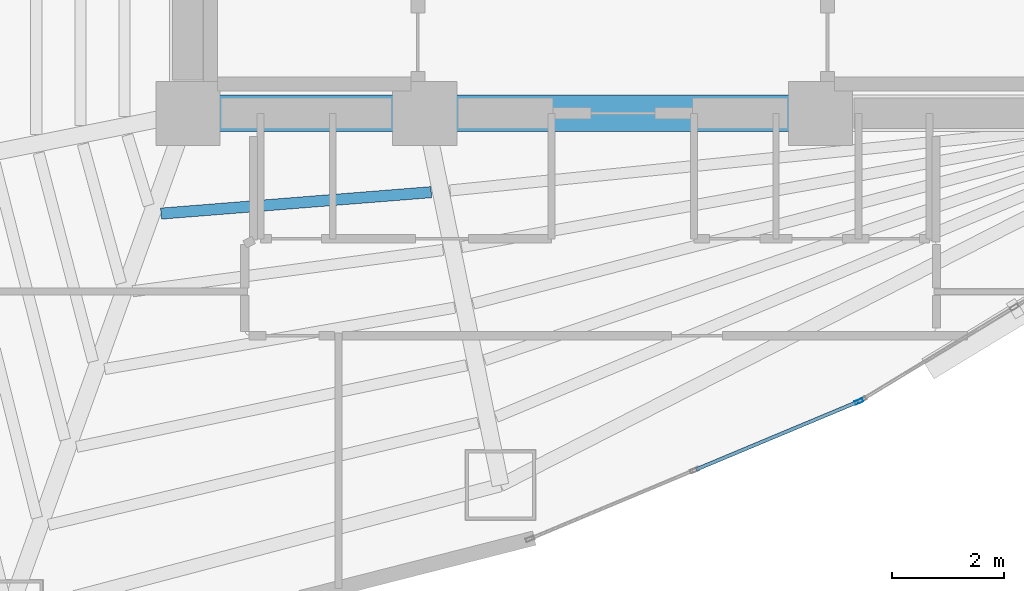
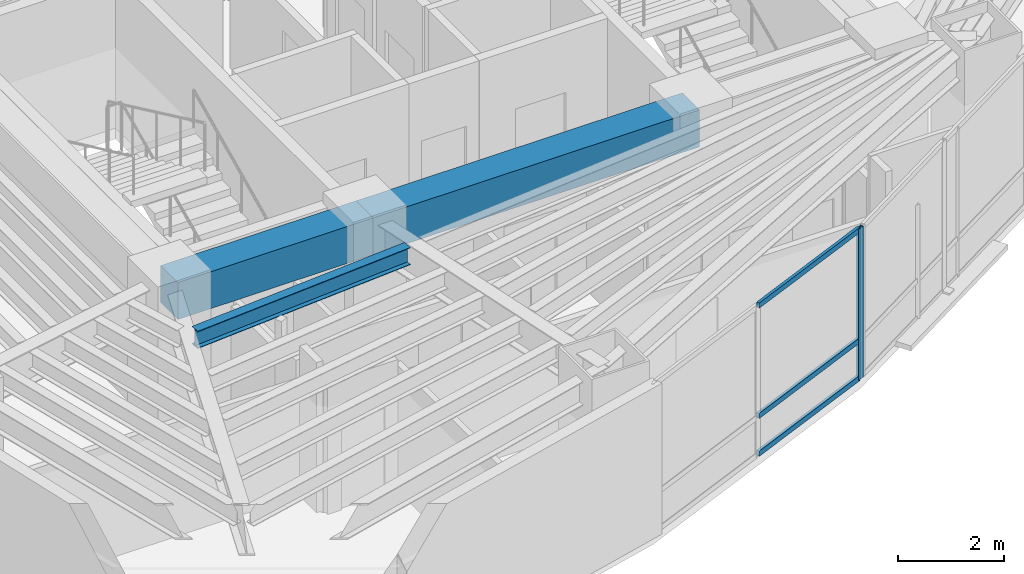
# One storey, part 4 of 18: 4 members, 3 beams, 1 element without a shape of its own.
"""IFC4 building model written with IfcOpenShell, lengths in metres."""

from ifc_helpers import new_model, si_unit, direction, frame, origin, origin_2d, place, context, subcontext, project, spatial, rectangle, hollow_rectangle, i_section, extrude, material, layer, layer_set, material_profile, profile_set, type_object, element, aggregate, save


model = new_model("IFC4")

# Units and contexts
model_context = context("Model", 3, precision=1e-05, world=origin(), true_north=direction((0.0, 1.0)))
body_context = subcontext(model_context, "Body", "Model", "MODEL_VIEW")
ifc_project = project(units=[si_unit("LENGTHUNIT", "METRE"), si_unit("AREAUNIT", "SQUARE_METRE"), si_unit("VOLUMEUNIT", "CUBIC_METRE"), si_unit("PLANEANGLEUNIT", "RADIAN"), si_unit("MASSUNIT", "GRAM", prefix="KILO")], contexts=[model_context])

# Site, building, storey
site_placement = place(None, origin())
site = spatial("IfcSite", under=ifc_project, at=site_placement, CompositionType="ELEMENT")
building_placement = place(site_placement, origin())
building = spatial("IfcBuilding", under=site, at=building_placement, Name="Menara Vayukalpa", CompositionType="ELEMENT")
storey_placement = place(building_placement, frame((0.0, 0.0, 126.300048828125)))
storey = spatial("IfcBuildingStorey", under=building, at=storey_placement, Name="L31", CompositionType="ELEMENT", Elevation=126.300048828125)

# Beams
ifc_material_1 = material(Name="Concrete C60/75", Category="concrete")
ifc_material_profile_1 = material_profile(ifc_material_1, rectangle(XDim=0.64990234375, YDim=0.85009765625, at=origin_2d()), Name="RC 650x850")
ifc_profile_set_1 = profile_set([ifc_material_profile_1], Name="Concrete C60/75")
beam_type_1 = type_object("IfcBeamType", Name="BM-CB1", PredefinedType="BEAM", material=ifc_profile_set_1)
beam_1_placement = place(storey_placement, frame((17.800048828125, 17.199951171875, 3.044921875), z_axis=(1.0, 0.0, 0.0), x_axis=(0.0, 1.0, 0.0)))
element("IfcBeam", 1, at=beam_1_placement, inside=storey, type_object=beam_type_1, Name="L31 Core Tie Beam CBR1", PredefinedType="BEAM", context=body_context, shape_type="SweptSolid", body=[
    extrude(rectangle(XDim=0.64990234375, YDim=0.85009765625, at=origin_2d()), origin(), (0.0, 0.0, 1.0), 4.25),
])
beam_2_placement = place(storey_placement, frame((22.050048828125, 17.199951171875, 3.044921875), z_axis=(1.0, 0.0, 0.0), x_axis=(0.0, 1.0, 0.0)))
element("IfcBeam", 2, at=beam_2_placement, inside=storey, type_object=beam_type_1, Name="L31 Core Tie Beam CBR2", PredefinedType="BEAM", context=body_context, shape_type="SweptSolid", body=[
    extrude(rectangle(XDim=0.64990234375, YDim=0.85009765625, at=origin_2d()), origin(), (0.0, 0.0, 1.0), 7.099853515625),
])
ifc_material_2 = material(Name="Steel S355", Category="steel")
ifc_material_profile_2 = material_profile(ifc_material_2, i_section(OverallWidth=0.199951171875, OverallDepth=0.39990234375, WebThickness=0.008056640625, FlangeThickness=0.012939453125, at=origin_2d()), Name="WF 400x200x8x13")
ifc_profile_set_2 = profile_set([ifc_material_profile_2], Name="Steel S355")
beam_type_2 = type_object("IfcBeamType", Name="BM-SJ2", PredefinedType="JOIST", material=ifc_profile_set_2)
beam_3_placement = place(storey_placement, frame((17.318603515625, 15.40087890625, 3.27001953125), z_axis=(0.996868534468, 0.079076703187, 0.0), x_axis=(-0.079076703187, 0.996868534468, 0.0)))
element("IfcBeam", 3, at=beam_3_placement, inside=storey, type_object=beam_type_2, Name="L31 Secondary Floor Joist SJ07-1", PredefinedType="JOIST", context=body_context, shape_type="SweptSolid", body=[
    extrude(i_section(OverallWidth=0.199951171875, OverallDepth=0.39990234375, WebThickness=0.008056640625, FlangeThickness=0.012939453125, at=origin_2d()), origin(), (0.0, 0.0, 1.0), 4.862548828125),
])

# Curtain wall, members
ifc_material_3 = material(Name="Anodised Terracotta Aluminium Alloy 6063-T6", Category="masonry")
ifc_layer = layer(ifc_material_3, 0.14990234375)
ifc_layer_set = layer_set([ifc_layer], Name="Anodised Terracotta Aluminium Alloy 6063-T6")
curtain_wall_type = type_object("IfcCurtainWallType", Name="CW-CW3", PredefinedType="USERDEFINED", material=ifc_layer_set)
curtain_wall_placement = place(storey_placement, origin())
curtain_wall = element("IfcCurtainWall", 4, at=curtain_wall_placement, inside=storey, type_object=curtain_wall_type, Name="L31 Mid Rise Terracotta Ribbon Curtain Wall CW3 16", ObjectType="UNITISED", PredefinedType="USERDEFINED")
ifc_material_4 = material(Name="Anodised Terracotta Aluminium Alloy 6063-T6", Category="masonry")
ifc_material_profile_3 = material_profile(ifc_material_4, hollow_rectangle(XDim=0.06494140625, YDim=0.14990234375, WallThickness=0.00341796875, at=origin_2d()), Name="ALU 65x150x3.5")
ifc_profile_set_3 = profile_set([ifc_material_profile_3], Name="Anodised Terracotta Aluminium Alloy 6063-T6")
member_type_1 = type_object("IfcMemberType", Name="CWM-CW3", PredefinedType="MULLION", material=ifc_profile_set_3)
member_1_placement = place(storey_placement, frame((29.8359375, 12.0322265625, 0.0), z_axis=(0.0, 0.0, 1.0), x_axis=(-0.38589358437, 0.922543300632, 0.0)))
member_1 = element("IfcMember", 5, at=member_1_placement, type_object=member_type_1, Name="CW3 mullion 3", PredefinedType="MULLION", context=body_context, shape_type="SweptSolid", body=[
    extrude(hollow_rectangle(XDim=0.06494140625, YDim=0.14990234375, WallThickness=0.00341796875, at=origin_2d()), origin(), (0.0, 0.0, 1.0), 3.469970703125),
])
ifc_material_5 = material(Name="Anodised Terracotta Aluminium Alloy 6063-T6", Category="masonry")
ifc_material_profile_4 = material_profile(ifc_material_5, hollow_rectangle(XDim=0.06494140625, YDim=0.1201171875, WallThickness=0.00341796875, at=origin_2d()), Name="ALU 65x120x3.5")
ifc_profile_set_4 = profile_set([ifc_material_profile_4], Name="Anodised Terracotta Aluminium Alloy 6063-T6")
member_type_2 = type_object("IfcMemberType", Name="CWT-CW3", PredefinedType="USERDEFINED", material=ifc_profile_set_4)
member_2_placement = place(storey_placement, frame((26.916748046875, 10.81103515625, 0.032470703125), z_axis=(0.922517812792, 0.385954511673, 0.0), x_axis=(-0.385954511673, 0.922517812792, 0.0)))
member_2 = element("IfcMember", 6, at=member_2_placement, type_object=member_type_2, Name="CW3 transom 2.1", ObjectType="TRANSOM", PredefinedType="USERDEFINED", context=body_context, shape_type="SweptSolid", body=[
    extrude(hollow_rectangle(XDim=0.06494140625, YDim=0.1201171875, WallThickness=0.00341796875, at=origin_2d()), origin(), (0.0, 0.0, 1.0), 3.1318359375),
])
member_3_placement = place(storey_placement, frame((26.916748046875, 10.81103515625, 0.89990234375), z_axis=(0.922517812792, 0.385954511673, 0.0), x_axis=(-0.385954511673, 0.922517812792, 0.0)))
member_3 = element("IfcMember", 7, at=member_3_placement, type_object=member_type_2, Name="CW3 transom 2.2", ObjectType="TRANSOM", PredefinedType="USERDEFINED", context=body_context, shape_type="SweptSolid", body=[
    extrude(hollow_rectangle(XDim=0.06494140625, YDim=0.1201171875, WallThickness=0.00341796875, at=origin_2d()), origin(), (0.0, 0.0, 1.0), 3.1318359375),
])
member_4_placement = place(storey_placement, frame((26.916748046875, 10.81103515625, 3.4375), z_axis=(0.922517812792, 0.385954511673, 0.0), x_axis=(-0.385954511673, 0.922517812792, 0.0)))
member_4 = element("IfcMember", 8, at=member_4_placement, type_object=member_type_2, Name="CW3 transom 2.3", ObjectType="TRANSOM", PredefinedType="USERDEFINED", context=body_context, shape_type="SweptSolid", body=[
    extrude(hollow_rectangle(XDim=0.06494140625, YDim=0.1201171875, WallThickness=0.00341796875, at=origin_2d()), origin(), (0.0, 0.0, 1.0), 3.1318359375),
])
aggregate(curtain_wall, [member_1, member_2, member_3, member_4])

save(model, "model.ifc")
